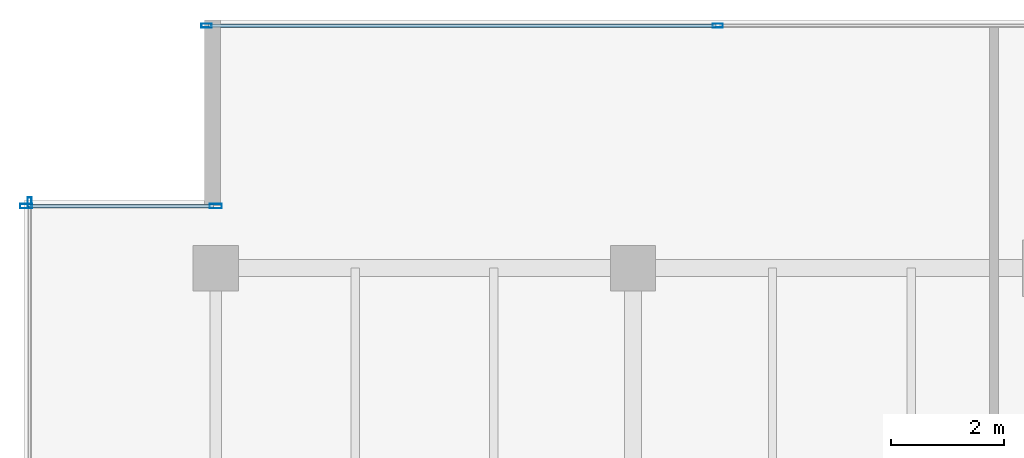
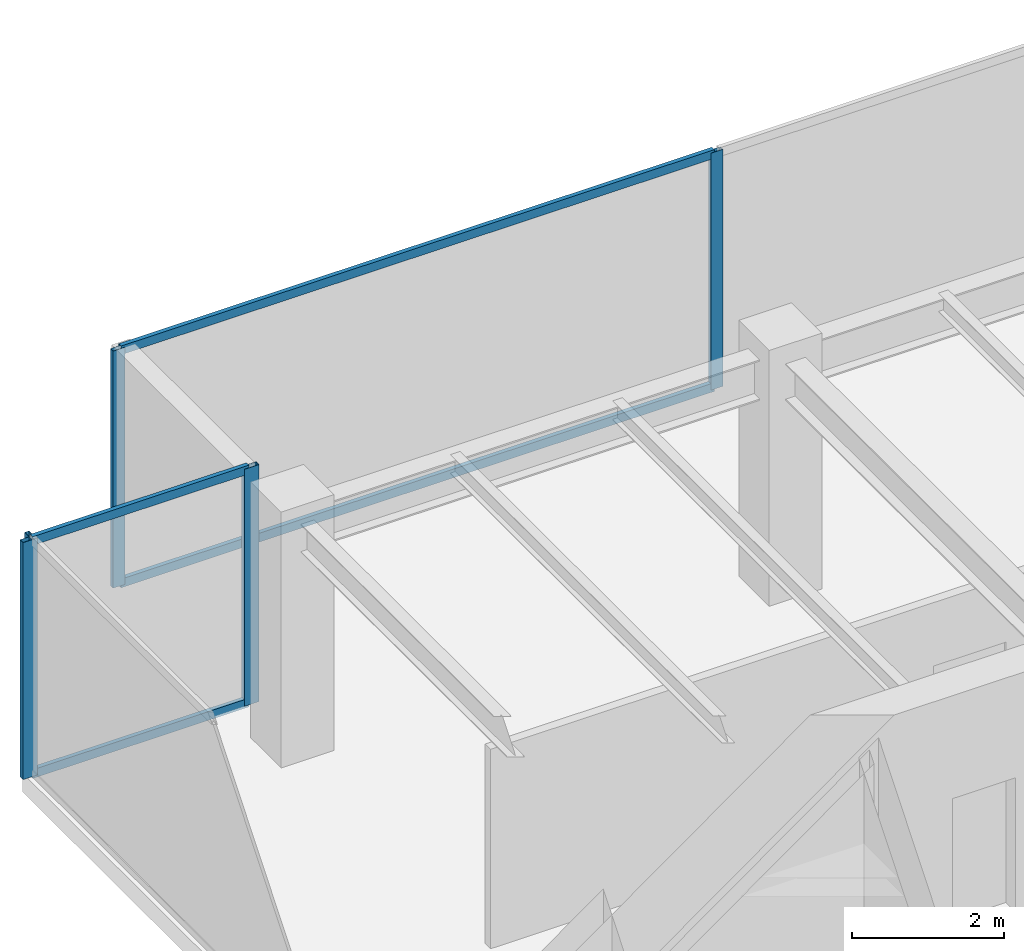
# One storey, part 15 of 33: 9 members, 3 elements without a shape of their own.
"""IFC4 building model written with IfcOpenShell, lengths in metres."""

from ifc_helpers import new_model, si_unit, direction, frame, origin, origin_2d, place, context, subcontext, project, spatial, hollow_rectangle, extrude, source, transform, mapped, material, layer, layer_set, material_profile, profile_set, type_object, type_shapes, element, aggregate, save


model = new_model("IFC4")

# Units and contexts
model_context = context("Model", 3, precision=1e-05, world=origin(), true_north=direction((0.0, 1.0)))
body_context = subcontext(model_context, "Body", "Model", "MODEL_VIEW")
ifc_project = project(units=[si_unit("LENGTHUNIT", "METRE"), si_unit("AREAUNIT", "SQUARE_METRE"), si_unit("VOLUMEUNIT", "CUBIC_METRE"), si_unit("PLANEANGLEUNIT", "RADIAN"), si_unit("MASSUNIT", "GRAM", prefix="KILO")], contexts=[model_context])

# Site, building, storey
site_placement = place(None, origin())
site = spatial("IfcSite", under=ifc_project, at=site_placement, CompositionType="ELEMENT")
building_placement = place(site_placement, origin())
building = spatial("IfcBuilding", under=site, at=building_placement, Name="Haelvirn Gate Laboratories", CompositionType="ELEMENT")
storey_placement = place(building_placement, frame((0.0, 0.0, 238.300048828125)))
storey = spatial("IfcBuildingStorey", under=building, at=storey_placement, Name="L57", CompositionType="ELEMENT", Elevation=238.300048828125)

# Curtain wall, members
ifc_material_1 = material(Name="Anodised bronze unitised aluminium & triple low-E glass", Category="aluminium")
ifc_layer_1 = layer(ifc_material_1, 0.181884765625, Name="CW-SYS-5")
ifc_layer_set_1 = layer_set([ifc_layer_1], Name="Anodised bronze unitised aluminium & triple low-E glass")
curtain_wall_type_1 = type_object("IfcCurtainWallType", Name="CW-SYS-5", PredefinedType="NOTDEFINED", material=ifc_layer_set_1)
curtain_wall_1_placement = place(storey_placement, origin())
curtain_wall_1 = element("IfcCurtainWall", 1, at=curtain_wall_1_placement, inside=storey, type_object=curtain_wall_type_1, Name="L57 Unitised Curtain Wall CW-L57-P0-E16-1", PredefinedType="NOTDEFINED")
ifc_material_2 = material(Name="Extruded aluminium 6063-T6 (anodised bronze)", Category="aluminium")
ifc_material_profile_1 = material_profile(ifc_material_2, hollow_rectangle(XDim=0.06494140625, YDim=0.139892578125, WallThickness=0.00390625, at=origin_2d()), Name="CWT-140x65x4")
ifc_profile_set_1 = profile_set([ifc_material_profile_1], Name="Extruded aluminium 6063-T6 (anodised bronze)")
member_type_1 = type_object("IfcMemberType", Name="CWT-T140", PredefinedType="USERDEFINED", material=ifc_profile_set_1)
shared_shape_1 = source(origin(), body_context, "Body", "SweptSolid", [
    extrude(hollow_rectangle(XDim=0.06494140625, YDim=0.139892578125, WallThickness=0.00390625, at=origin_2d()), origin(), (0.0, 0.0, 1.0), 3.280029296875),
])
member_1_placement = place(storey_placement, frame((4.080078125, 42.699951171875, 0.032470703125), z_axis=(1.0, 0.0, 0.0), x_axis=(0.0, 1.0, 0.0)))
member_1 = element("IfcMember", 2, at=member_1_placement, type_object=member_type_1, Name="CW5 transom 1.1", ObjectType="TRANSOM", PredefinedType="USERDEFINED", context=body_context, shape_type="MappedRepresentation", body=[
    mapped(shared_shape_1, transform((0.0, 0.0, 0.0), scale=1.0)),
])
member_2_placement = place(storey_placement, frame((4.080078125, 42.699951171875, 3.767333984375), z_axis=(1.0, 0.0, 0.0), x_axis=(0.0, 1.0, 0.0)))
member_2 = element("IfcMember", 3, at=member_2_placement, type_object=member_type_1, Name="CW5 transom 1.2", ObjectType="TRANSOM", PredefinedType="USERDEFINED", context=body_context, shape_type="MappedRepresentation", body=[
    mapped(shared_shape_1, transform((0.0, 0.0, 0.0), scale=1.0)),
])

ifc_layer_2 = layer(ifc_material_1, 0.176025390625, Name="CW-SYS-4")
ifc_layer_set_2 = layer_set([ifc_layer_2], Name="Anodised bronze unitised aluminium & triple low-E glass")
curtain_wall_type_2 = type_object("IfcCurtainWallType", Name="CW-SYS-4", PredefinedType="NOTDEFINED", material=ifc_layer_set_2)
curtain_wall_2_placement = place(storey_placement, origin())
curtain_wall_2 = element("IfcCurtainWall", 4, at=curtain_wall_2_placement, inside=storey, type_object=curtain_wall_type_2, Name="L57 Unitised Curtain Wall CW-L57-P0-E14-1", PredefinedType="NOTDEFINED")
ifc_material_profile_2 = material_profile(ifc_material_2, hollow_rectangle(XDim=0.070068359375, YDim=0.179931640625, WallThickness=0.0048828125, at=origin_2d()), Name="CWM-180x70x5")
ifc_profile_set_2 = profile_set([ifc_material_profile_2], Name="Extruded aluminium 6063-T6 (anodised bronze)")
member_type_2 = type_object("IfcMemberType", Name="CWM-T180", PredefinedType="MULLION", material=ifc_profile_set_2)
shared_shape_2 = source(origin(), body_context, "Body", "SweptSolid", [
    extrude(hollow_rectangle(XDim=0.070068359375, YDim=0.179931640625, WallThickness=0.0048828125, at=origin_2d()), origin(), (0.0, 0.0, 1.0), 3.800048828125),
])
type_shapes(member_type_2, [shared_shape_2])
member_3_placement = place(storey_placement, frame((7.235107421875, 45.89990234375, 0.0), z_axis=(0.0, 0.0, 1.0), x_axis=(0.0, 1.0, 0.0)))
member_3 = element("IfcMember", 5, at=member_3_placement, type_object=member_type_2, Name="CW4 mullion 1", PredefinedType="MULLION", context=body_context, shape_type="MappedRepresentation", body=[
    mapped(shared_shape_2, transform((0.0, 0.0, 0.0), scale=1.0)),
])
member_4_placement = place(storey_placement, frame((16.300048828125, 45.89990234375, 0.0), z_axis=(0.0, 0.0, 1.0), x_axis=(0.0, 1.0, 0.0)))
member_4 = element("IfcMember", 6, at=member_4_placement, type_object=member_type_2, Name="CW4 mullion 2", PredefinedType="MULLION", context=body_context, shape_type="MappedRepresentation", body=[
    mapped(shared_shape_2, transform((0.0, 0.0, 0.0), scale=1.0)),
])

# Curtain wall, member
curtain_wall_3_placement = place(storey_placement, origin())
curtain_wall_3 = element("IfcCurtainWall", 7, at=curtain_wall_3_placement, inside=storey, type_object=curtain_wall_type_2, Name="L57 Unitised Curtain Wall CW-L57-P0-E17", PredefinedType="NOTDEFINED")
member_5_placement = place(storey_placement, frame((4.10009765625, 42.764892578125, 0.0), z_axis=(0.0, 0.0, 1.0), x_axis=(1.0, 0.0, 0.0)))
member_5 = element("IfcMember", 8, at=member_5_placement, type_object=member_type_2, Name="CW4 mullion 1", PredefinedType="MULLION", context=body_context, shape_type="MappedRepresentation", body=[
    mapped(shared_shape_2, transform((0.0, 0.0, 0.0), scale=1.0)),
])
aggregate(curtain_wall_3, [member_5])

# Member
shared_shape_3 = source(origin(), body_context, "Body", "SweptSolid", [
    extrude(hollow_rectangle(XDim=0.06494140625, YDim=0.139892578125, WallThickness=0.00390625, at=origin_2d()), origin(), (0.0, 0.0, 1.0), 8.994873046875),
])
type_shapes(member_type_1, [shared_shape_1, shared_shape_3])
member_6_placement = place(storey_placement, frame((7.27001953125, 45.89990234375, 0.032470703125), z_axis=(1.0, 0.0, 0.0), x_axis=(0.0, 1.0, 0.0)))
member_6 = element("IfcMember", 9, at=member_6_placement, type_object=member_type_1, Name="CW4 transom 1.1", ObjectType="TRANSOM", PredefinedType="USERDEFINED", context=body_context, shape_type="MappedRepresentation", body=[
    mapped(shared_shape_3, transform((0.0, 0.0, 0.0), scale=1.0)),
])

member_7_placement = place(storey_placement, frame((7.27001953125, 45.89990234375, 3.767333984375), z_axis=(1.0, 0.0, 0.0), x_axis=(0.0, 1.0, 0.0)))
member_7 = element("IfcMember", 10, at=member_7_placement, type_object=member_type_1, Name="CW4 transom 1.2", ObjectType="TRANSOM", PredefinedType="USERDEFINED", context=body_context, shape_type="MappedRepresentation", body=[
    mapped(shared_shape_3, transform((0.0, 0.0, 0.0), scale=1.0)),
])

aggregate(curtain_wall_2, [member_3, member_4, member_6, member_7])

ifc_material_profile_3 = material_profile(ifc_material_2, hollow_rectangle(XDim=0.080078125, YDim=0.219970703125, WallThickness=0.006103515625, at=origin_2d()), Name="CWM-220x80x6")
ifc_profile_set_3 = profile_set([ifc_material_profile_3], Name="Extruded aluminium 6063-T6 (anodised bronze)")
member_type_3 = type_object("IfcMemberType", Name="CWM-T220", PredefinedType="MULLION", material=ifc_profile_set_3)
shared_shape_4 = source(origin(), body_context, "Body", "SweptSolid", [
    extrude(hollow_rectangle(XDim=0.080078125, YDim=0.219970703125, WallThickness=0.006103515625, at=origin_2d()), origin(), (0.0, 0.0, 1.0), 3.800048828125),
])
type_shapes(member_type_3, [shared_shape_4])
member_8_placement = place(storey_placement, frame((4.0400390625, 42.699951171875, 0.0), z_axis=(0.0, 0.0, 1.0), x_axis=(0.0, 1.0, 0.0)))
member_8 = element("IfcMember", 11, at=member_8_placement, type_object=member_type_3, Name="CW5 mullion 1", PredefinedType="MULLION", context=body_context, shape_type="MappedRepresentation", body=[
    mapped(shared_shape_4, transform((0.0, 0.0, 0.0), scale=1.0)),
])

member_9_placement = place(storey_placement, frame((7.39990234375, 42.699951171875, 0.0), z_axis=(0.0, 0.0, 1.0), x_axis=(0.0, 1.0, 0.0)))
member_9 = element("IfcMember", 12, at=member_9_placement, type_object=member_type_3, Name="CW5 mullion 2", PredefinedType="MULLION", context=body_context, shape_type="MappedRepresentation", body=[
    mapped(shared_shape_4, transform((0.0, 0.0, 0.0), scale=1.0)),
])

aggregate(curtain_wall_1, [member_8, member_9, member_1, member_2])

save(model, "model.ifc")
